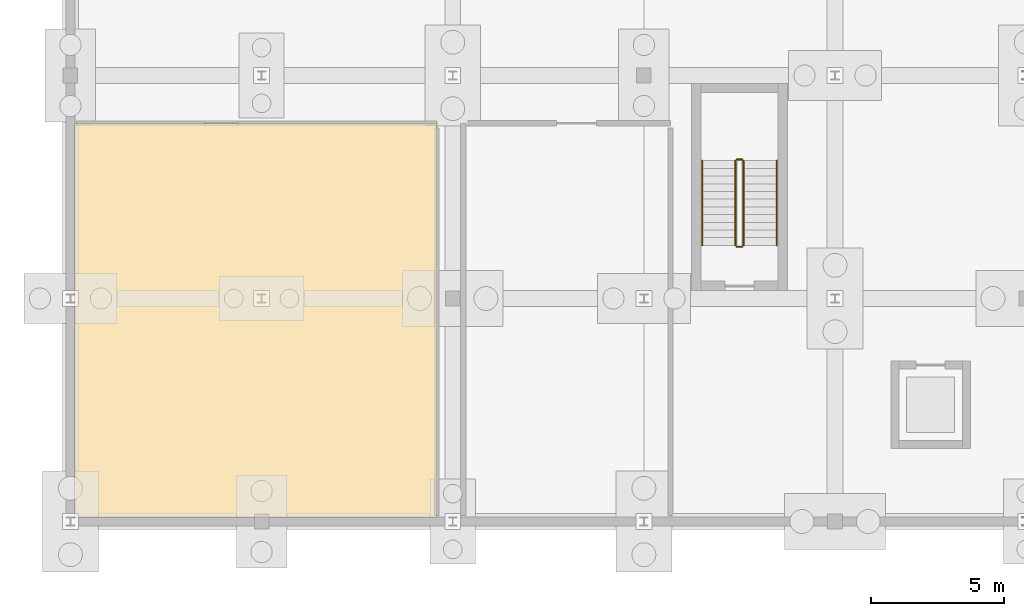
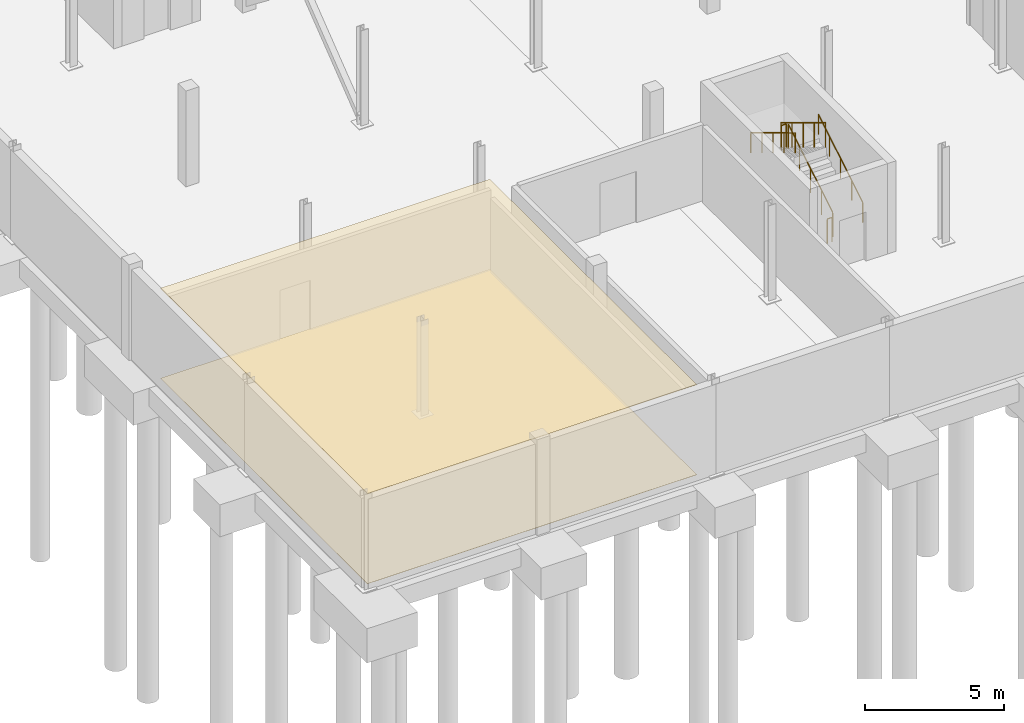
# One storey, part 25 of 32: 6 railings, 2 coverings.
"""IFC4 building model written with IfcOpenShell, lengths in metres."""

from ifc_helpers import new_model, si_unit, direction, frame, origin, origin_2d, place, context, subcontext, project, spatial, polyline, circle, outline, extrude, material, layer, layer_set, type_object, element, save


model = new_model("IFC4")

# Units and contexts
model_context = context("Model", 3, precision=1e-05, world=origin(), true_north=direction((0.0, 1.0)))
body_context = subcontext(model_context, "Body", "Model", "MODEL_VIEW")
ifc_project = project(units=[si_unit("LENGTHUNIT", "METRE"), si_unit("AREAUNIT", "SQUARE_METRE"), si_unit("VOLUMEUNIT", "CUBIC_METRE"), si_unit("PLANEANGLEUNIT", "RADIAN"), si_unit("MASSUNIT", "GRAM", prefix="KILO")], contexts=[model_context])

# Site, building, storey
site_placement = place(None, origin())
site = spatial("IfcSite", under=ifc_project, at=site_placement, CompositionType="ELEMENT")
building_placement = place(site_placement, origin())
building = spatial("IfcBuilding", under=site, at=building_placement, Name="Qelthora Terrace Specialist Clinic", CompositionType="ELEMENT")
storey_placement = place(building_placement, frame((0.0, 0.0, -4.199951171875)))
storey = spatial("IfcBuildingStorey", under=building, at=storey_placement, Name="B1", CompositionType="ELEMENT", Elevation=-4.199951171875)

# Coverings
ifc_material_1 = material(Name="Hygienic mineral-fibre acoustic ceiling", Category="gypsum")
ifc_layer_1 = layer(ifc_material_1, 0.02490234375)
ifc_layer_set_1 = layer_set([ifc_layer_1], Name="Hygienic mineral-fibre acoustic ceiling")
covering_type_1 = type_object("IfcCoveringType", Name="COV-CEIL-ACU-25", PredefinedType="CEILING", material=ifc_layer_set_1)
covering_1_placement = place(storey_placement, frame((0.0, 0.0, 3.93505859375)))
element("IfcCovering", 1, at=covering_1_placement, inside=storey, type_object=covering_type_1, Name="Sterile Equipment Decontamination B1-01 acoustic ceiling", PredefinedType="CEILING", context=body_context, shape_type="SweptSolid", body=[
    extrude(outline(polyline([(0.14990234375, 0.14990234375), (0.14990234375, 15.0), (13.800048828125, 15.0), (13.800048828125, 0.14990234375), (0.14990234375, 0.14990234375)])), origin(), (0.0, 0.0, 1.0), 0.02490234375),
])
ifc_material_2 = material(Name="Antimicrobial clinical linoleum flooring", Category="other")
ifc_layer_2 = layer(ifc_material_2, 0.011962890625)
ifc_layer_set_2 = layer_set([ifc_layer_2], Name="Antimicrobial clinical linoleum flooring")
covering_type_2 = type_object("IfcCoveringType", Name="COV-FLR-LINO-12", PredefinedType="FLOORING", material=ifc_layer_set_2)
covering_2_placement = place(storey_placement, origin())
element("IfcCovering", 2, at=covering_2_placement, inside=storey, type_object=covering_type_2, Name="Sterile Equipment Decontamination B1-01 resilient linoleum flooring", PredefinedType="FLOORING", context=body_context, shape_type="SweptSolid", body=[
    extrude(outline(polyline([(0.14990234375, 0.14990234375), (0.14990234375, 15.0), (13.800048828125, 15.0), (13.800048828125, 0.14990234375), (0.14990234375, 0.14990234375)])), origin(), (0.0, 0.0, 1.0), 0.011962890625),
])

# Railings
ifc_material_3 = material(Name="Steel S355", Category="steel")
railing_type_1 = type_object("IfcRailingType", Name="RAL-GD-1100-S355", PredefinedType="GUARDRAIL", material=ifc_material_3)
railing_1_placement = place(storey_placement, frame((25.35009765625, 10.39990234375, 0.175048828125)))
element("IfcRailing", 3, at=railing_1_placement, inside=storey, type_object=railing_type_1, Name="B1 ST-03 stair guard 1", PredefinedType="GUARDRAIL", context=body_context, shape_type="SweptSolid", body=[
    extrude(circle(Radius=0.02392578125, at=origin_2d()), frame((0.0, 0.0, 1.076171875), z_axis=(0.0, 0.856224141417, 0.516604509905), x_axis=(-1.0, 0.0, 0.0)), (0.0, 0.0, 1.0), 3.725830078125),
    extrude(circle(Radius=0.02099609375, at=origin_2d()), origin(), (0.0, 0.0, 1.0), 1.052001953125),
    extrude(circle(Radius=0.02099609375, at=origin_2d()), frame((0.0, 0.797607421875, 0.481201171875)), (0.0, 0.0, 1.0), 1.052001953125),
    extrude(circle(Radius=0.02099609375, at=origin_2d()), frame((0.0, 1.59521484375, 0.96240234375)), (0.0, 0.0, 1.0), 1.052001953125),
    extrude(circle(Radius=0.02099609375, at=origin_2d()), frame((0.0, 2.392578125, 1.443603515625)), (0.0, 0.0, 1.0), 1.052001953125),
    extrude(circle(Radius=0.02099609375, at=origin_2d()), frame((0.0, 3.190185546875, 1.9248046875)), (0.0, 0.0, 1.0), 1.052001953125),
])
railing_2_placement = place(storey_placement, frame((25.300048828125, 13.639892578125, 2.099853515625)))
element("IfcRailing", 4, at=railing_2_placement, inside=storey, type_object=railing_type_1, Name="B1 ST-03 stair guard 2", PredefinedType="GUARDRAIL", context=body_context, shape_type="SweptSolid", body=[
    extrude(circle(Radius=0.02392578125, at=origin_2d()), frame((0.0, 0.0, 1.076171875), z_axis=(-1.0, 0.0, 0.0), x_axis=(0.0, -1.0, 0.0)), (0.0, 0.0, 1.0), 0.199951171875),
    extrude(circle(Radius=0.02099609375, at=origin_2d()), origin(), (0.0, 0.0, 1.0), 1.052001953125),
    extrude(circle(Radius=0.02099609375, at=origin_2d()), frame((-0.199951171875, 0.0, 0.0)), (0.0, 0.0, 1.0), 1.052001953125),
])
railing_3_placement = place(storey_placement, frame((25.050048828125, 13.590087890625, 2.27490234375)))
element("IfcRailing", 5, at=railing_3_placement, inside=storey, type_object=railing_type_1, Name="B1 ST-03 stair guard 3", PredefinedType="GUARDRAIL", context=body_context, shape_type="SweptSolid", body=[
    extrude(circle(Radius=0.02392578125, at=origin_2d()), frame((0.0, 0.0, 1.076171875), z_axis=(0.0, -0.856195157123, 0.516652545643), x_axis=(1.0, 0.0, 0.0)), (0.0, 0.0, 1.0), 3.72607421875),
    extrude(circle(Radius=0.02099609375, at=origin_2d()), origin(), (0.0, 0.0, 1.0), 1.052001953125),
    extrude(circle(Radius=0.02099609375, at=origin_2d()), frame((0.0, -0.797607421875, 0.481201171875)), (0.0, 0.0, 1.0), 1.052001953125),
    extrude(circle(Radius=0.02099609375, at=origin_2d()), frame((0.0, -1.59521484375, 0.96240234375)), (0.0, 0.0, 1.0), 1.052001953125),
    extrude(circle(Radius=0.02099609375, at=origin_2d()), frame((0.0, -2.392578125, 1.44384765625)), (0.0, 0.0, 1.0), 1.052001953125),
    extrude(circle(Radius=0.02099609375, at=origin_2d()), frame((0.0, -3.190185546875, 1.925048828125)), (0.0, 0.0, 1.0), 1.052001953125),
])
railing_4_placement = place(storey_placement, frame((25.300048828125, 10.35009765625, 0.0)))
element("IfcRailing", 6, at=railing_4_placement, inside=storey, type_object=railing_type_1, Name="B1 ST-03 stair guard 4", PredefinedType="GUARDRAIL", context=body_context, shape_type="SweptSolid", body=[
    extrude(circle(Radius=0.02392578125, at=origin_2d()), frame((0.0, 0.0, 1.076171875), z_axis=(-1.0, 0.0, 0.0), x_axis=(0.0, -1.0, 0.0)), (0.0, 0.0, 1.0), 0.199951171875),
    extrude(circle(Radius=0.02099609375, at=origin_2d()), origin(), (0.0, 0.0, 1.0), 1.052001953125),
    extrude(circle(Radius=0.02099609375, at=origin_2d()), frame((-0.199951171875, 0.0, 0.0)), (0.0, 0.0, 1.0), 1.052001953125),
])
railing_type_2 = type_object("IfcRailingType", Name="RAL-HR-900-S355", PredefinedType="HANDRAIL", material=ifc_material_3)
railing_5_placement = place(storey_placement, frame((26.60009765625, 10.39990234375, 0.367919921875)))
element("IfcRailing", 7, at=railing_5_placement, inside=storey, type_object=railing_type_2, Name="B1 ST-03 stair handrail 1", PredefinedType="HANDRAIL", context=body_context, shape_type="SweptSolid", body=[
    extrude(circle(Radius=0.02392578125, at=origin_2d()), frame((0.0, 0.0, 0.8759765625), z_axis=(0.0, 0.856195157123, 0.516652545643), x_axis=(-1.0, 0.0, 0.0)), (0.0, 0.0, 1.0), 3.72607421875),
    extrude(circle(Radius=0.02099609375, at=origin_2d()), origin(), (0.0, 0.0, 1.0), 0.851806640625),
    extrude(circle(Radius=0.02099609375, at=origin_2d()), frame((0.0, 0.797607421875, 0.481201171875)), (0.0, 0.0, 1.0), 0.851806640625),
    extrude(circle(Radius=0.02099609375, at=origin_2d()), frame((0.0, 1.59521484375, 0.96240234375)), (0.0, 0.0, 1.0), 0.851806640625),
    extrude(circle(Radius=0.02099609375, at=origin_2d()), frame((0.0, 2.392578125, 1.44384765625)), (0.0, 0.0, 1.0), 0.851806640625),
    extrude(circle(Radius=0.02099609375, at=origin_2d()), frame((0.0, 3.190185546875, 1.925048828125)), (0.0, 0.0, 1.0), 0.851806640625),
])
railing_6_placement = place(storey_placement, frame((23.800048828125, 13.590087890625, 2.468017578125)))
element("IfcRailing", 8, at=railing_6_placement, inside=storey, type_object=railing_type_2, Name="B1 ST-03 stair handrail 2", PredefinedType="HANDRAIL", context=body_context, shape_type="SweptSolid", body=[
    extrude(circle(Radius=0.02392578125, at=origin_2d()), frame((0.0, 0.0, 0.8759765625), z_axis=(0.0, -0.856195157123, 0.516652545643), x_axis=(1.0, 0.0, 0.0)), (0.0, 0.0, 1.0), 3.72607421875),
    extrude(circle(Radius=0.02099609375, at=origin_2d()), origin(), (0.0, 0.0, 1.0), 0.851806640625),
    extrude(circle(Radius=0.02099609375, at=origin_2d()), frame((0.0, -0.797607421875, 0.481201171875)), (0.0, 0.0, 1.0), 0.851806640625),
    extrude(circle(Radius=0.02099609375, at=origin_2d()), frame((0.0, -1.59521484375, 0.96240234375)), (0.0, 0.0, 1.0), 0.851806640625),
    extrude(circle(Radius=0.02099609375, at=origin_2d()), frame((0.0, -2.392578125, 1.44384765625)), (0.0, 0.0, 1.0), 0.851806640625),
    extrude(circle(Radius=0.02099609375, at=origin_2d()), frame((0.0, -3.190185546875, 1.925048828125)), (0.0, 0.0, 1.0), 0.851806640625),
])

save(model, "model.ifc")
